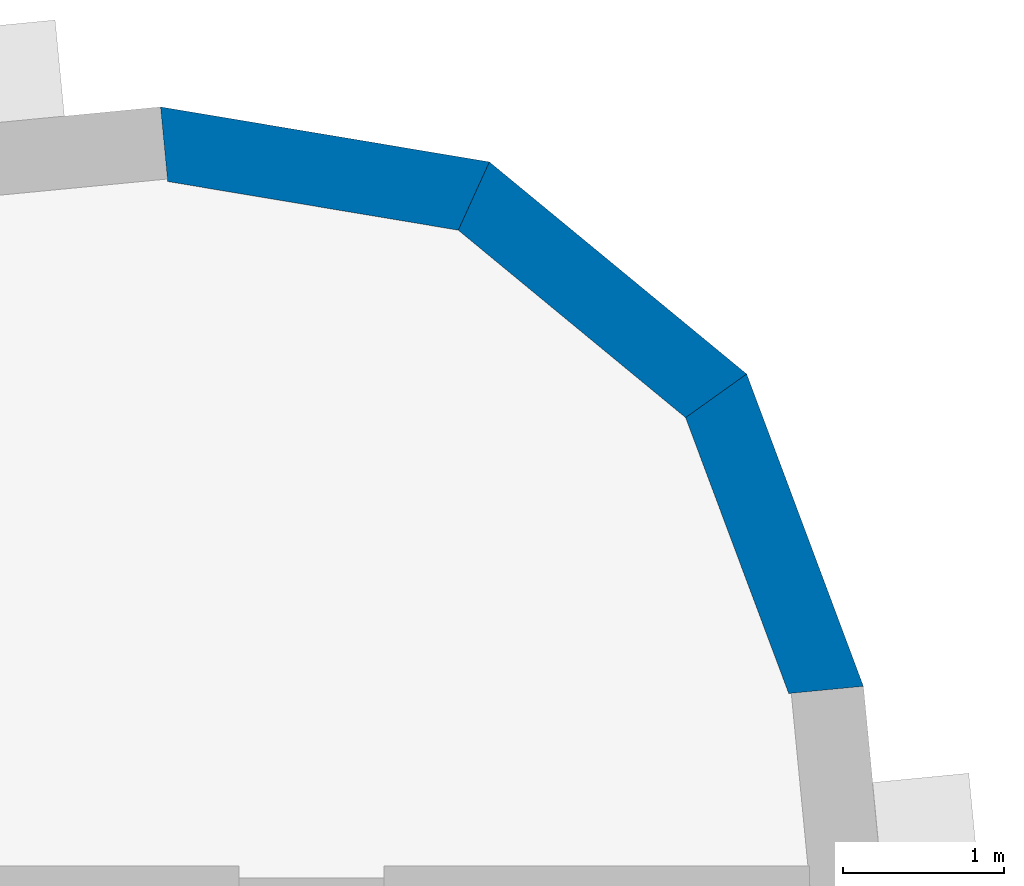
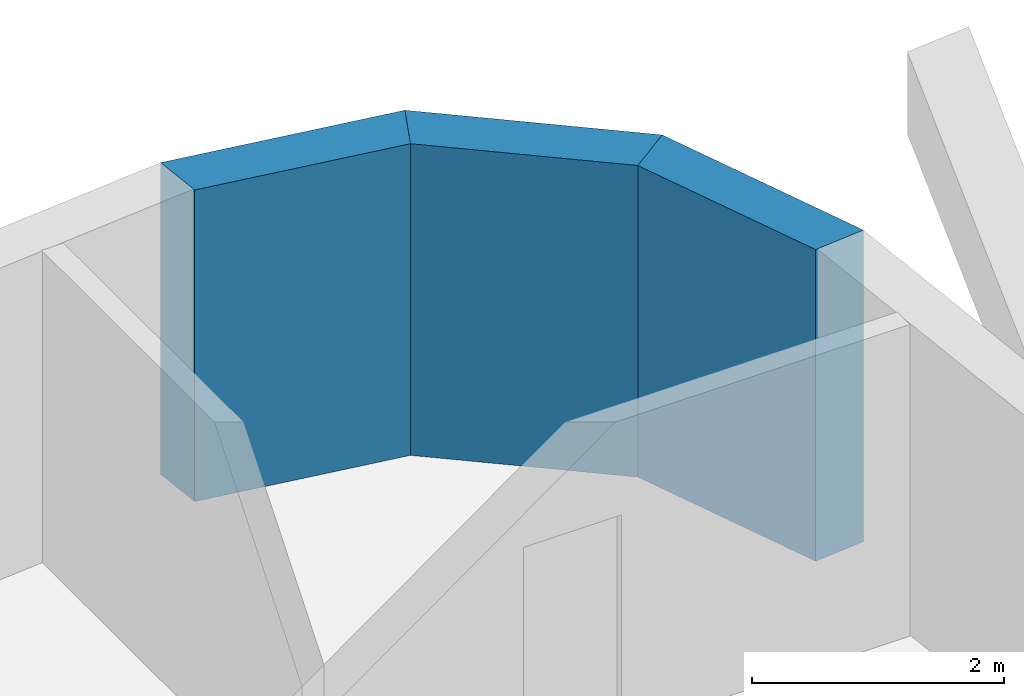
# One storey, part 7 of 12: 3 walls.
"""IFC4 building model written with IfcOpenShell, lengths in metres."""

from ifc_helpers import new_model, si_unit, direction, frame, origin, place, context, subcontext, project, spatial, polyline, outline, extrude, material, layer, layer_set, type_object, element, save


model = new_model("IFC4")

# Units and contexts
model_context = context("Model", 3, precision=1e-05, world=origin(), true_north=direction((0.0, 1.0)))
body_context = subcontext(model_context, "Body", "Model", "MODEL_VIEW")
ifc_project = project(units=[si_unit("LENGTHUNIT", "METRE"), si_unit("AREAUNIT", "SQUARE_METRE"), si_unit("VOLUMEUNIT", "CUBIC_METRE"), si_unit("PLANEANGLEUNIT", "RADIAN"), si_unit("MASSUNIT", "GRAM", prefix="KILO")], contexts=[model_context])

# Site, building, storey
site_placement = place(None, origin())
site = spatial("IfcSite", under=ifc_project, at=site_placement, CompositionType="ELEMENT")
building_placement = place(site_placement, origin())
building = spatial("IfcBuilding", under=site, at=building_placement, Name="Kajstack Hotel Tower", CompositionType="ELEMENT")
storey_placement = place(building_placement, frame((0.0, 0.0, 268.5)))
storey = spatial("IfcBuildingStorey", under=building, at=storey_placement, Name="L66", CompositionType="ELEMENT", Elevation=268.5)

# Walls
ifc_material = material(Name="Terracotta-faced brick masonry", Category="masonry")
ifc_layer = layer(ifc_material, 0.449951171875)
ifc_layer_set = layer_set([ifc_layer], Name="EW-TERRA")
wall_type = type_object("IfcWallType", Name="EW-TERRA", PredefinedType="SOLIDWALL", material=ifc_layer_set)
wall_1_placement = place(storey_placement, frame((35.078369140625, 18.9375, 0.0), z_axis=(0.0, 0.0, 1.0), x_axis=(-0.350192909346, 0.936677599948, 0.0)))
element("IfcWall", 1, at=wall_1_placement, inside=storey, type_object=wall_type, Name="E-wall-L66-09-00", PredefinedType="SOLIDWALL", context=body_context, shape_type="SweptSolid", body=[
    extrude(outline(polyline([(0.0, -0.22509765625), (2.070556640625, -0.22509765625), (1.949951171875, 0.224853515625), (0.12060546875, 0.224853515625), (0.0, -0.22509765625)])), origin(), (0.0, 0.0, 1.0), 3.02001953125),
])
wall_2_placement = place(storey_placement, frame((34.4208984375, 20.7822265625, 0.0), z_axis=(0.0, 0.0, 1.0), x_axis=(-0.771593176315, 0.636116318187, 0.0)))
element("IfcWall", 2, at=wall_2_placement, inside=storey, type_object=wall_type, Name="E-wall-L66-10-00", PredefinedType="SOLIDWALL", context=body_context, shape_type="SweptSolid", body=[
    extrude(outline(polyline([(0.0, -0.22509765625), (2.070556640625, -0.224853515625), (1.949951171875, 0.22509765625), (0.120361328125, 0.22509765625), (0.0, -0.22509765625)])), origin(), (0.0, 0.0, 1.0), 3.02001953125),
])
wall_3_placement = place(storey_placement, frame((32.92919921875, 22.051025390625, 0.0), z_axis=(0.0, 0.0, 1.0), x_axis=(-0.986298144721, 0.164972633245, 0.0)))
element("IfcWall", 3, at=wall_3_placement, inside=storey, type_object=wall_type, Name="E-wall-L66-11-00", PredefinedType="SOLIDWALL", context=body_context, shape_type="SweptSolid", body=[
    extrude(outline(polyline([(0.0, -0.224853515625), (2.0703125, -0.22509765625), (1.949951171875, 0.224853515625), (0.12060546875, 0.22509765625), (0.0, -0.224853515625)])), origin(), (0.0, 0.0, 1.0), 3.02001953125),
])

save(model, "model.ifc")
